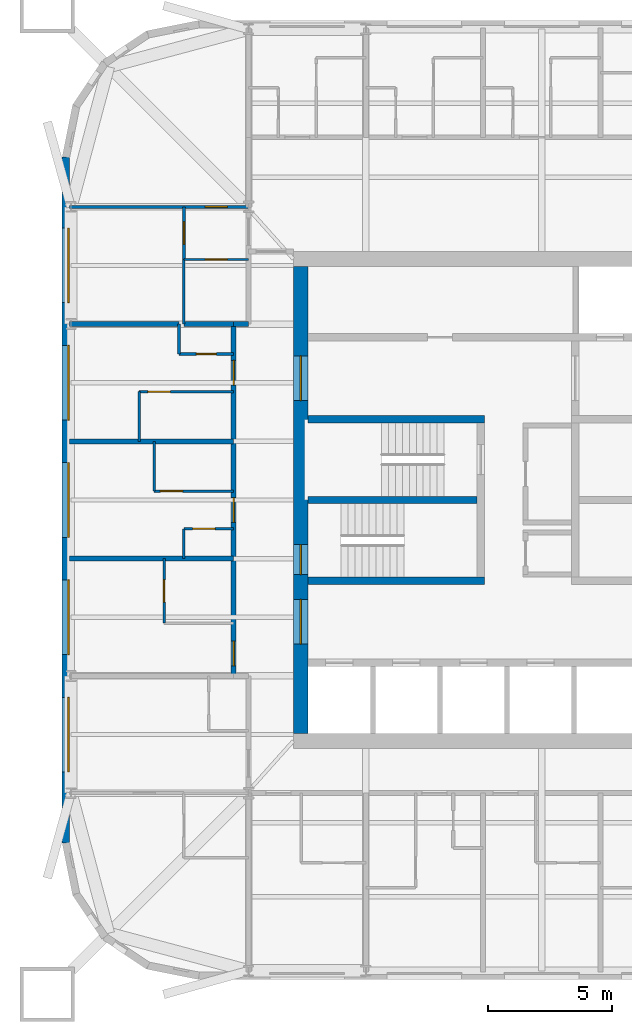
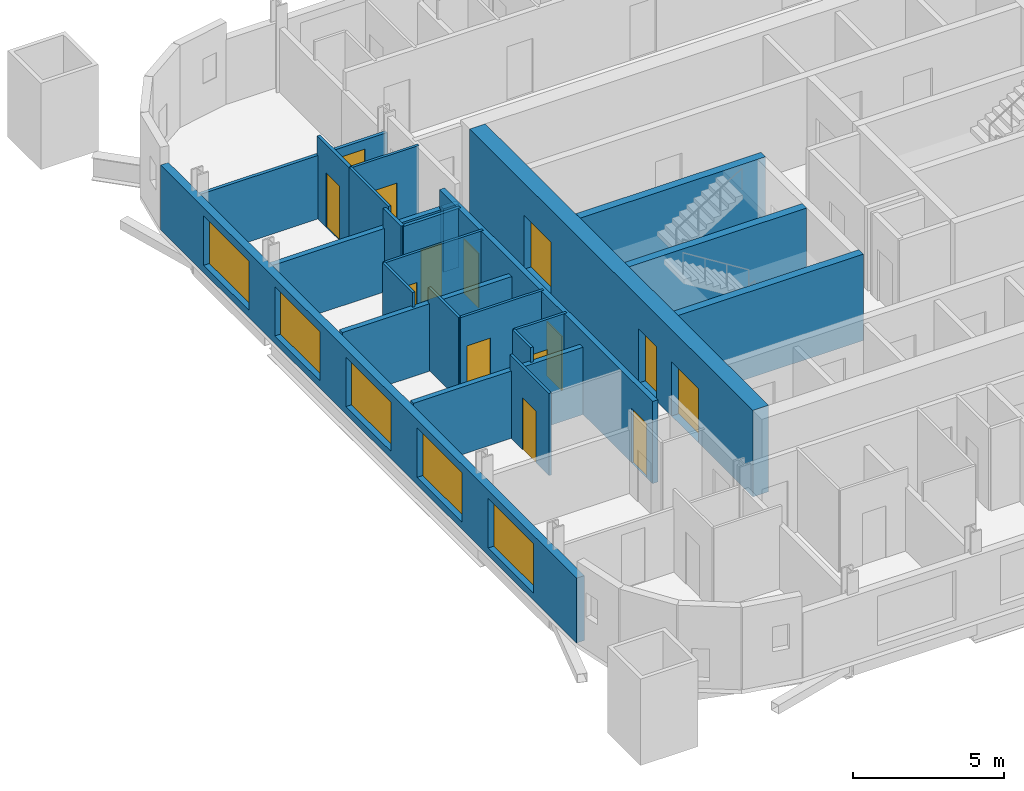
# One storey, part 4 of 9: 24 walls, 14 doors, 5 windows, 19 openings.
"""IFC4 building model written with IfcOpenShell, lengths in metres."""

from ifc_helpers import new_model, si_unit, direction, frame, frame_2d, origin, place, context, subcontext, project, spatial, rectangle, extrude, material, layer, layer_set, type_object, element, fill, save


model = new_model("IFC4")

# Units and contexts
model_context = context("Model", 3, precision=1e-05, world=origin(), true_north=direction((0.0, 1.0)))
body_context = subcontext(model_context, "Body", "Model", "MODEL_VIEW")
ifc_project = project(units=[si_unit("LENGTHUNIT", "METRE"), si_unit("AREAUNIT", "SQUARE_METRE"), si_unit("VOLUMEUNIT", "CUBIC_METRE"), si_unit("PLANEANGLEUNIT", "RADIAN"), si_unit("MASSUNIT", "GRAM", prefix="KILO")], contexts=[model_context])

# Site, building, storey
site_placement = place(None, origin())
site = spatial("IfcSite", under=ifc_project, at=site_placement, CompositionType="ELEMENT")
building_placement = place(site_placement, origin())
building = spatial("IfcBuilding", under=site, at=building_placement, Name="Turquesa Mirador Hotel Tower", CompositionType="ELEMENT")
storey_placement = place(building_placement, frame((0.0, 0.0, 214.300048828125)))
storey = spatial("IfcBuildingStorey", under=building, at=storey_placement, Name="L58", CompositionType="ELEMENT", Elevation=214.300048828125)

# Wall, opening, door
ifc_material_1 = material(Name="Gypsum board on steel studs", Category="steel")
ifc_layer_1 = layer(ifc_material_1, 0.10009765625)
ifc_layer_set_1 = layer_set([ifc_layer_1], Name="BATHROOM WALL 100")
wall_type_1 = type_object("IfcWallType", Name="BATHROOM WALL 100", PredefinedType="PARTITIONING", material=ifc_layer_set_1)
wall_1_placement = place(storey_placement, frame((40.60009765625, 43.840087890625, 0.0), z_axis=(0.0, 0.0, 1.0), x_axis=(1.0, 0.0, 0.0)))
wall_1 = element("IfcWall", 1, at=wall_1_placement, inside=storey, type_object=wall_type_1, Name="Partition L58 001", PredefinedType="PARTITIONING", context=body_context, shape_type="SweptSolid", body=[
    extrude(rectangle(XDim=2.0, YDim=0.10009765625, at=frame_2d((1.0, 0.0))), origin(), (0.0, 0.0, 1.0), 3.329833984375),
])
opening_1_placement = place(wall_1_placement, frame((0.35009765625, 0.0, 0.0)))
opening_1 = element("IfcOpeningElement", 2, at=opening_1_placement, cuts=wall_1, Name="Opening D06", PredefinedType="OPENING", context=body_context, shape_type="SweptSolid", body=[
    extrude(rectangle(XDim=0.89990234375, YDim=2.10009765625, at=frame_2d((0.449951171875, 1.050048828125))), frame((0.0, 0.06005859375, 0.0), z_axis=(0.0, -1.0, 0.0), x_axis=(1.0, 0.0, 0.0)), (0.0, 0.0, 1.0), 0.1201171875),
])
ifc_material_2 = material(Name="Laminate door", Category="wood")
door_type_1 = type_object("IfcDoorType", Name="DOOR 900X2100 WC", OperationType="SINGLE_SWING_LEFT", PredefinedType="DOOR", material=ifc_material_2)
door_1_placement = place(opening_1_placement, origin())
door_1 = element("IfcDoor", 3, at=door_1_placement, inside=storey, type_object=door_type_1, Name="Door 5815W", OperationType="SINGLE_SWING_LEFT", OverallHeight=2.10009765625, OverallWidth=0.89990234375, PredefinedType="DOOR", context=body_context, shape_type="SweptSolid", body=[
    extrude(rectangle(XDim=0.89990234375, YDim=2.10009765625, at=frame_2d((0.449951171875, 1.050048828125))), frame((0.0, 0.02490234375, 0.0), z_axis=(0.0, -1.0, 0.0), x_axis=(1.0, 0.0, 0.0)), (0.0, 0.0, 1.0), 0.050048828125),
])
fill(opening_1, door_1)

wall_2_placement = place(storey_placement, frame((39.39990234375, 45.360107421875, 0.0), z_axis=(0.0, 0.0, 1.0), x_axis=(1.0, 0.0, 0.0)))
wall_2 = element("IfcWall", 4, at=wall_2_placement, inside=storey, type_object=wall_type_1, Name="Partition L58 026", PredefinedType="PARTITIONING", context=body_context, shape_type="SweptSolid", body=[
    extrude(rectangle(XDim=3.2001953125, YDim=0.10009765625, at=frame_2d((1.60009765625, 0.0))), origin(), (0.0, 0.0, 1.0), 3.329833984375),
])
opening_2_placement = place(wall_2_placement, frame((0.25, 0.0, 0.0)))
opening_2 = element("IfcOpeningElement", 5, at=opening_2_placement, cuts=wall_2, Name="Opening D02", PredefinedType="OPENING", context=body_context, shape_type="SweptSolid", body=[
    extrude(rectangle(XDim=0.89990234375, YDim=2.10009765625, at=frame_2d((0.449951171875, 1.050048828125))), frame((0.0, 0.06005859375, 0.0), z_axis=(0.0, -1.0, 0.0), x_axis=(1.0, 0.0, 0.0)), (0.0, 0.0, 1.0), 0.1201171875),
])
ifc_material_3 = material(Name="Timber veneered door", Category="wood")
door_type_2 = type_object("IfcDoorType", Name="DOOR 900X2100 EN-SUITE", OperationType="SINGLE_SWING_RIGHT", PredefinedType="DOOR", material=ifc_material_3)
door_2_placement = place(opening_2_placement, origin())
door_2 = element("IfcDoor", 6, at=door_2_placement, inside=storey, type_object=door_type_2, Name="Door 5815B", OperationType="SINGLE_SWING_RIGHT", OverallHeight=2.10009765625, OverallWidth=0.89990234375, PredefinedType="DOOR", context=body_context, shape_type="SweptSolid", body=[
    extrude(rectangle(XDim=0.89990234375, YDim=2.10009765625, at=frame_2d((0.449951171875, 1.050048828125))), frame((0.0, 0.02490234375, 0.0), z_axis=(0.0, -1.0, 0.0), x_axis=(1.0, 0.0, 0.0)), (0.0, 0.0, 1.0), 0.050048828125),
])
fill(opening_2, door_2)

wall_3_placement = place(storey_placement, frame((38.800048828125, 49.360107421875, 0.0), z_axis=(0.0, 0.0, 1.0), x_axis=(1.0, 0.0, 0.0)))
wall_3 = element("IfcWall", 7, at=wall_3_placement, inside=storey, type_object=wall_type_1, Name="Partition L58 044", PredefinedType="PARTITIONING", context=body_context, shape_type="SweptSolid", body=[
    extrude(rectangle(XDim=3.800048828125, YDim=0.10009765625, at=frame_2d((1.89990234375, 0.0))), origin(), (0.0, 0.0, 1.0), 3.329833984375),
])
opening_3_placement = place(wall_3_placement, frame((0.35009765625, 0.0, 0.0)))
opening_3 = element("IfcOpeningElement", 8, at=opening_3_placement, cuts=wall_3, Name="Opening D02", PredefinedType="OPENING", context=body_context, shape_type="SweptSolid", body=[
    extrude(rectangle(XDim=0.89990234375, YDim=2.10009765625, at=frame_2d((0.449951171875, 1.050048828125))), frame((0.0, 0.06005859375, 0.0), z_axis=(0.0, -1.0, 0.0), x_axis=(1.0, 0.0, 0.0)), (0.0, 0.0, 1.0), 0.1201171875),
])
door_3_placement = place(opening_3_placement, origin())
door_3 = element("IfcDoor", 9, at=door_3_placement, inside=storey, type_object=door_type_2, Name="Door 5816B", OperationType="SINGLE_SWING_RIGHT", OverallHeight=2.10009765625, OverallWidth=0.89990234375, PredefinedType="DOOR", context=body_context, shape_type="SweptSolid", body=[
    extrude(rectangle(XDim=0.89990234375, YDim=2.10009765625, at=frame_2d((0.449951171875, 1.050048828125))), frame((0.0, 0.02490234375, 0.0), z_axis=(0.0, -1.0, 0.0), x_axis=(1.0, 0.0, 0.0)), (0.0, 0.0, 1.0), 0.050048828125),
])
fill(opening_3, door_3)

wall_4_placement = place(storey_placement, frame((40.60009765625, 54.679931640625, 0.0), z_axis=(0.0, 0.0, 1.0), x_axis=(1.0, 0.0, 0.0)))
wall_4 = element("IfcWall", 10, at=wall_4_placement, inside=storey, type_object=wall_type_1, Name="Partition L58 051", PredefinedType="PARTITIONING", context=body_context, shape_type="SweptSolid", body=[
    extrude(rectangle(XDim=2.599853515625, YDim=0.10009765625, at=frame_2d((1.2998046875, 0.0))), origin(), (0.0, 0.0, 1.0), 3.329833984375),
])
opening_4_placement = place(wall_4_placement, frame((0.85009765625, 0.0, 0.0)))
opening_4 = element("IfcOpeningElement", 11, at=opening_4_placement, cuts=wall_4, Name="Opening D02", PredefinedType="OPENING", context=body_context, shape_type="SweptSolid", body=[
    extrude(rectangle(XDim=0.89990234375, YDim=2.10009765625, at=frame_2d((0.449951171875, 1.050048828125))), frame((0.0, 0.06005859375, 0.0), z_axis=(0.0, -1.0, 0.0), x_axis=(1.0, 0.0, 0.0)), (0.0, 0.0, 1.0), 0.1201171875),
])
door_4_placement = place(opening_4_placement, origin())
door_4 = element("IfcDoor", 12, at=door_4_placement, inside=storey, type_object=door_type_2, Name="Door 5818B", OperationType="SINGLE_SWING_RIGHT", OverallHeight=2.10009765625, OverallWidth=0.89990234375, PredefinedType="DOOR", context=body_context, shape_type="SweptSolid", body=[
    extrude(rectangle(XDim=0.89990234375, YDim=2.10009765625, at=frame_2d((0.449951171875, 1.050048828125))), frame((0.0, 0.02490234375, 0.0), z_axis=(0.0, -1.0, 0.0), x_axis=(1.0, 0.0, 0.0)), (0.0, 0.0, 1.0), 0.050048828125),
])
fill(opening_4, door_4)

# Walls
wall_5_placement = place(storey_placement, frame((40.60009765625, 42.639892578125, 0.0), z_axis=(0.0, 0.0, 1.0), x_axis=(0.0, 1.0, 0.0)))
element("IfcWall", 13, at=wall_5_placement, inside=storey, type_object=wall_type_1, Name="Partition L58 063", PredefinedType="PARTITIONING", context=body_context, shape_type="SweptSolid", body=[
    extrude(rectangle(XDim=1.2001953125, YDim=0.10009765625, at=frame_2d((0.60009765625, 0.0))), origin(), (0.0, 0.0, 1.0), 3.329833984375),
])
wall_6_placement = place(storey_placement, frame((40.60009765625, 52.080078125, 0.0), z_axis=(0.0, 0.0, 1.0), x_axis=(0.0, 1.0, 0.0)))
element("IfcWall", 14, at=wall_6_placement, inside=storey, type_object=wall_type_1, Name="Partition L58 064", PredefinedType="PARTITIONING", context=body_context, shape_type="SweptSolid", body=[
    extrude(rectangle(XDim=2.599853515625, YDim=0.10009765625, at=frame_2d((1.2998046875, 0.0))), origin(), (0.0, 0.0, 1.0), 3.329833984375),
])

# Wall, opening, door
wall_7_placement = place(storey_placement, frame((39.800048828125, 40.0400390625, 0.0), z_axis=(0.0, 0.0, 1.0), x_axis=(0.0, 1.0, 0.0)))
wall_7 = element("IfcWall", 15, at=wall_7_placement, inside=storey, type_object=wall_type_1, Name="Partition L58 067", PredefinedType="PARTITIONING", context=body_context, shape_type="SweptSolid", body=[
    extrude(rectangle(XDim=2.599853515625, YDim=0.10009765625, at=frame_2d((1.2998046875, 0.0))), origin(), (0.0, 0.0, 1.0), 3.329833984375),
])
opening_5_placement = place(wall_7_placement, frame((0.85009765625, 0.0, 0.0)))
opening_5 = element("IfcOpeningElement", 16, at=opening_5_placement, cuts=wall_7, Name="Opening D02", PredefinedType="OPENING", context=body_context, shape_type="SweptSolid", body=[
    extrude(rectangle(XDim=0.89990234375, YDim=2.10009765625, at=frame_2d((0.449951171875, 1.050048828125))), frame((0.0, 0.06005859375, 0.0), z_axis=(0.0, -1.0, 0.0), x_axis=(1.0, 0.0, 0.0)), (0.0, 0.0, 1.0), 0.1201171875),
])
door_5_placement = place(opening_5_placement, origin())
door_5 = element("IfcDoor", 17, at=door_5_placement, inside=storey, type_object=door_type_2, Name="Door 5814B", OperationType="SINGLE_SWING_RIGHT", OverallHeight=2.10009765625, OverallWidth=0.89990234375, PredefinedType="DOOR", context=body_context, shape_type="SweptSolid", body=[
    extrude(rectangle(XDim=0.89990234375, YDim=2.10009765625, at=frame_2d((0.449951171875, 1.050048828125))), frame((0.0, 0.02490234375, 0.0), z_axis=(0.0, -1.0, 0.0), x_axis=(1.0, 0.0, 0.0)), (0.0, 0.0, 1.0), 0.050048828125),
])
fill(opening_5, door_5)

# Walls
for number, where, z_axis, x_axis, name in (
    (18, (39.39990234375, 45.360107421875, 0.0), (0.0, 0.0, 1.0), (0.0, 1.0, 0.0), "Partition L58 068"),
    (19, (38.800048828125, 47.360107421875, 0.0), (0.0, 0.0, 1.0), (0.0, 1.0, 0.0), "Partition L58 069"),
):
    element("IfcWall", number, at=place(storey_placement, frame(where, z_axis=z_axis, x_axis=x_axis)), inside=storey, type_object=wall_type_1, Name=name, PredefinedType="PARTITIONING", context=body_context, shape_type="SweptSolid", body=[
        extrude(rectangle(XDim=2.0, YDim=0.10009765625, at=frame_2d((1.0, 0.0))), origin(), (0.0, 0.0, 1.0), 3.329833984375),
    ])
ifc_material_4 = material(Name="Concrete C50/60", Category="concrete")
ifc_layer_2 = layer(ifc_material_4, 0.300048828125)
ifc_layer_set_2 = layer_set([ifc_layer_2], Name="CORE INNER WALL 300")
wall_type_2 = type_object("IfcWallType", Name="CORE INNER WALL 300", PredefinedType="SHEAR", material=ifc_layer_set_2)
for number, where, z_axis, x_axis, name in (
    (20, (45.60009765625, 48.25, 0.0), (0.0, 0.0, 1.0), (1.0, 0.0, 0.0), "Core wall MN-W"),
    (21, (45.60009765625, 41.75, 0.0), (0.0, 0.0, 1.0), (1.0, 0.0, 0.0), "Core wall MS-W"),
):
    element("IfcWall", number, at=place(storey_placement, frame(where, z_axis=z_axis, x_axis=x_axis)), inside=storey, type_object=wall_type_2, Name=name, PredefinedType="SHEAR", context=body_context, shape_type="SweptSolid", body=[
        extrude(rectangle(XDim=7.099853515625, YDim=0.300048828125, at=frame_2d((3.5498046875, 0.0))), origin(), (0.0, 0.0, 1.0), 3.5),
    ])
wall_8_placement = place(storey_placement, frame((45.60009765625, 45.0, 0.0), z_axis=(0.0, 0.0, 1.0), x_axis=(1.0, 0.0, 0.0)))
element("IfcWall", 22, at=wall_8_placement, inside=storey, type_object=wall_type_2, Name="Core wall M0-W", PredefinedType="SHEAR", context=body_context, shape_type="SweptSolid", body=[
    extrude(rectangle(XDim=6.7998046875, YDim=0.300048828125, at=frame_2d((3.39990234375, 0.0))), origin(), (0.0, 0.0, 1.0), 3.5),
])

# Wall, openings, doors
ifc_material_5 = material(Name="Concrete C50/60", Category="concrete")
ifc_layer_3 = layer(ifc_material_5, 0.60009765625)
ifc_layer_set_3 = layer_set([ifc_layer_3], Name="CORE WALL 600")
wall_type_3 = type_object("IfcWallType", Name="CORE WALL 600", PredefinedType="SHEAR", material=ifc_layer_set_3)
wall_9_placement = place(storey_placement, frame((45.300048828125, 35.60009765625, 0.0), z_axis=(0.0, 0.0, 1.0), x_axis=(0.0, 1.0, 0.0)))
wall_9 = element("IfcWall", 23, at=wall_9_placement, inside=storey, type_object=wall_type_3, Name="Core wall W", PredefinedType="SHEAR", context=body_context, shape_type="SweptSolid", body=[
    extrude(rectangle(XDim=18.7998046875, YDim=0.60009765625, at=frame_2d((9.39990234375, 0.0))), origin(), (0.0, 0.0, 1.0), 3.5),
])
opening_6_placement = place(wall_9_placement, frame((13.39990234375, 0.0, 0.0)))
opening_6 = element("IfcOpeningElement", 24, at=opening_6_placement, cuts=wall_9, Name="Opening D04", PredefinedType="OPENING", context=body_context, shape_type="SweptSolid", body=[
    extrude(rectangle(XDim=1.800048828125, YDim=2.199951171875, at=frame_2d((0.89990234375, 1.10009765625))), frame((0.0, 0.31005859375, 0.0), z_axis=(0.0, -1.0, 0.0), x_axis=(1.0, 0.0, 0.0)), (0.0, 0.0, 1.0), 0.6201171875),
])
opening_7_placement = place(wall_9_placement, frame((3.60009765625, 0.0, 0.0)))
opening_7 = element("IfcOpeningElement", 25, at=opening_7_placement, cuts=wall_9, Name="Opening D04", PredefinedType="OPENING", context=body_context, shape_type="SweptSolid", body=[
    extrude(rectangle(XDim=1.800048828125, YDim=2.199951171875, at=frame_2d((0.89990234375, 1.10009765625))), frame((0.0, 0.31005859375, 0.0), z_axis=(0.0, -1.0, 0.0), x_axis=(1.0, 0.0, 0.0)), (0.0, 0.0, 1.0), 0.6201171875),
])
opening_8_placement = place(wall_9_placement, frame((6.39990234375, 0.0, 0.0)))
opening_8 = element("IfcOpeningElement", 26, at=opening_8_placement, cuts=wall_9, Name="Opening D03", PredefinedType="OPENING", context=body_context, shape_type="SweptSolid", body=[
    extrude(rectangle(XDim=1.199951171875, YDim=2.199951171875, at=frame_2d((0.60009765625, 1.10009765625))), frame((0.0, 0.31005859375, 0.0), z_axis=(0.0, -1.0, 0.0), x_axis=(1.0, 0.0, 0.0)), (0.0, 0.0, 1.0), 0.6201171875),
])
ifc_material_6 = material(Name="Steel fire door", Category="steel")
door_type_3 = type_object("IfcDoorType", Name="DOOR 1200X2200 STAIR", OperationType="SINGLE_SWING_LEFT", PredefinedType="DOOR", material=ifc_material_6)
door_6_placement = place(opening_8_placement, origin())
door_6 = element("IfcDoor", 27, at=door_6_placement, inside=storey, type_object=door_type_3, Name="Stair ST2 door", OperationType="SINGLE_SWING_LEFT", OverallHeight=2.199951171875, OverallWidth=1.199951171875, PredefinedType="DOOR", context=body_context, shape_type="SweptSolid", body=[
    extrude(rectangle(XDim=1.199951171875, YDim=2.199951171875, at=frame_2d((0.60009765625, 1.10009765625))), frame((0.0, 0.02490234375, 0.0), z_axis=(0.0, -1.0, 0.0), x_axis=(1.0, 0.0, 0.0)), (0.0, 0.0, 1.0), 0.050048828125),
])
fill(opening_8, door_6)
ifc_material_7 = material(Name="Steel fire door pair", Category="steel")
door_type_4 = type_object("IfcDoorType", Name="DOOR 1800X2200 PAIR", OperationType="DOUBLE_DOOR_SINGLE_SWING", PredefinedType="DOOR", material=ifc_material_7)
door_7_placement = place(opening_6_placement, origin())
door_7 = element("IfcDoor", 28, at=door_7_placement, inside=storey, type_object=door_type_4, Name="North lift lobby door", OperationType="DOUBLE_DOOR_SINGLE_SWING", OverallHeight=2.199951171875, OverallWidth=1.800048828125, PredefinedType="DOOR", context=body_context, shape_type="SweptSolid", body=[
    extrude(rectangle(XDim=1.800048828125, YDim=2.199951171875, at=frame_2d((0.89990234375, 1.10009765625))), frame((0.0, 0.02490234375, 0.0), z_axis=(0.0, -1.0, 0.0), x_axis=(1.0, 0.0, 0.0)), (0.0, 0.0, 1.0), 0.050048828125),
])
fill(opening_6, door_7)
door_8_placement = place(opening_7_placement, origin())
door_8 = element("IfcDoor", 29, at=door_8_placement, inside=storey, type_object=door_type_4, Name="South lift lobby door", OperationType="DOUBLE_DOOR_SINGLE_SWING", OverallHeight=2.199951171875, OverallWidth=1.800048828125, PredefinedType="DOOR", context=body_context, shape_type="SweptSolid", body=[
    extrude(rectangle(XDim=1.800048828125, YDim=2.199951171875, at=frame_2d((0.89990234375, 1.10009765625))), frame((0.0, 0.02490234375, 0.0), z_axis=(0.0, -1.0, 0.0), x_axis=(1.0, 0.0, 0.0)), (0.0, 0.0, 1.0), 0.050048828125),
])
fill(opening_7, door_8)

# Wall
ifc_material_8 = material(Name="Fire-rated gypsum board on steel studs", Category="steel")
ifc_layer_4 = layer(ifc_material_8, 0.199951171875)
ifc_layer_set_4 = layer_set([ifc_layer_4], Name="CORRIDOR WALL 200")
wall_type_4 = type_object("IfcWallType", Name="CORRIDOR WALL 200", PredefinedType="PARTITIONING", material=ifc_layer_set_4)
wall_10_placement = place(storey_placement, frame((42.60009765625, 52.080078125, 0.0), z_axis=(0.0, 0.0, 1.0), x_axis=(1.0, 0.0, 0.0)))
element("IfcWall", 30, at=wall_10_placement, inside=storey, type_object=wall_type_4, Name="Partition L58 047", PredefinedType="PARTITIONING", context=body_context, shape_type="SweptSolid", body=[
    extrude(rectangle(XDim=0.599853515625, YDim=0.199951171875, at=frame_2d((0.2998046875, 0.0))), origin(), (0.0, 0.0, 1.0), 2.572998046875),
])

# Wall, openings, doors
wall_11_placement = place(storey_placement, frame((42.60009765625, 37.919921875, 0.0), z_axis=(0.0, 0.0, 1.0), x_axis=(0.0, 1.0, 0.0)))
wall_11 = element("IfcWall", 31, at=wall_11_placement, inside=storey, type_object=wall_type_4, Name="Partition L58 060", PredefinedType="PARTITIONING", context=body_context, shape_type="SweptSolid", body=[
    extrude(rectangle(XDim=14.16015625, YDim=0.199951171875, at=frame_2d((7.080078125, 0.0))), origin(), (0.0, 0.0, 1.0), 3.329833984375),
])
opening_9_placement = place(wall_11_placement, frame((0.39990234375, 0.0, 0.0)))
opening_9 = element("IfcOpeningElement", 32, at=opening_9_placement, cuts=wall_11, Name="Opening D01", PredefinedType="OPENING", context=body_context, shape_type="SweptSolid", body=[
    extrude(rectangle(XDim=1.0, YDim=2.199951171875, at=frame_2d((0.5, 1.10009765625))), frame((0.0, 0.10986328125, 0.0), z_axis=(0.0, -1.0, 0.0), x_axis=(1.0, 0.0, 0.0)), (0.0, 0.0, 1.0), 0.219970703125),
])
opening_10_placement = place(wall_11_placement, frame((6.179931640625, 0.0, 0.0)))
opening_10 = element("IfcOpeningElement", 33, at=opening_10_placement, cuts=wall_11, Name="Opening D01", PredefinedType="OPENING", context=body_context, shape_type="SweptSolid", body=[
    extrude(rectangle(XDim=1.0, YDim=2.199951171875, at=frame_2d((0.5, 1.10009765625))), frame((0.0, 0.10986328125, 0.0), z_axis=(0.0, -1.0, 0.0), x_axis=(1.0, 0.0, 0.0)), (0.0, 0.0, 1.0), 0.219970703125),
])
opening_11_placement = place(wall_11_placement, frame((11.699951171875, 0.0, 0.0)))
opening_11 = element("IfcOpeningElement", 34, at=opening_11_placement, cuts=wall_11, Name="Opening D01", PredefinedType="OPENING", context=body_context, shape_type="SweptSolid", body=[
    extrude(rectangle(XDim=1.0, YDim=2.199951171875, at=frame_2d((0.5, 1.10009765625))), frame((0.0, 0.10986328125, 0.0), z_axis=(0.0, -1.0, 0.0), x_axis=(1.0, 0.0, 0.0)), (0.0, 0.0, 1.0), 0.219970703125),
])
ifc_material_9 = material(Name="Timber veneered fire door", Category="wood")
door_type_5 = type_object("IfcDoorType", Name="DOOR 1000X2200 GUEST ENTRY", OperationType="SINGLE_SWING_LEFT", PredefinedType="DOOR", material=ifc_material_9)
door_9_placement = place(opening_9_placement, origin())
door_9 = element("IfcDoor", 35, at=door_9_placement, inside=storey, type_object=door_type_5, Name="Door 5814", OperationType="SINGLE_SWING_LEFT", OverallHeight=2.199951171875, OverallWidth=1.0, PredefinedType="DOOR", context=body_context, shape_type="SweptSolid", body=[
    extrude(rectangle(XDim=1.0, YDim=2.199951171875, at=frame_2d((0.5, 1.10009765625))), frame((0.0, 0.02490234375, 0.0), z_axis=(0.0, -1.0, 0.0), x_axis=(1.0, 0.0, 0.0)), (0.0, 0.0, 1.0), 0.050048828125),
])
fill(opening_9, door_9)
door_10_placement = place(opening_10_placement, origin())
door_10 = element("IfcDoor", 36, at=door_10_placement, inside=storey, type_object=door_type_5, Name="Door 5815", OperationType="SINGLE_SWING_LEFT", OverallHeight=2.199951171875, OverallWidth=1.0, PredefinedType="DOOR", context=body_context, shape_type="SweptSolid", body=[
    extrude(rectangle(XDim=1.0, YDim=2.199951171875, at=frame_2d((0.5, 1.10009765625))), frame((0.0, 0.02490234375, 0.0), z_axis=(0.0, -1.0, 0.0), x_axis=(1.0, 0.0, 0.0)), (0.0, 0.0, 1.0), 0.050048828125),
])
fill(opening_10, door_10)
door_11_placement = place(opening_11_placement, origin())
door_11 = element("IfcDoor", 37, at=door_11_placement, inside=storey, type_object=door_type_5, Name="Door 5816", OperationType="SINGLE_SWING_LEFT", OverallHeight=2.199951171875, OverallWidth=1.0, PredefinedType="DOOR", context=body_context, shape_type="SweptSolid", body=[
    extrude(rectangle(XDim=1.0, YDim=2.199951171875, at=frame_2d((0.5, 1.10009765625))), frame((0.0, 0.02490234375, 0.0), z_axis=(0.0, -1.0, 0.0), x_axis=(1.0, 0.0, 0.0)), (0.0, 0.0, 1.0), 0.050048828125),
])
fill(opening_11, door_11)

# Wall, openings, windows
ifc_material_10 = material(Name="Limestone cladding on concrete block", Category="masonry")
ifc_layer_5 = layer(ifc_material_10, 0.300048828125)
ifc_layer_set_5 = layer_set([ifc_layer_5], Name="FACADE WALL 300 STONE SCREEN")
wall_type_5 = type_object("IfcWallType", Name="FACADE WALL 300 STONE SCREEN", PredefinedType="SOLIDWALL", material=ifc_layer_set_5)
wall_12_placement = place(storey_placement, frame((35.85009765625, 58.800048828125, 0.0), z_axis=(0.0, 0.0, 1.0), x_axis=(0.0, -1.0, 0.0)))
wall_12 = element("IfcWall", 38, at=wall_12_placement, inside=storey, type_object=wall_type_5, Name="Facade wall L58 14", PredefinedType="SOLIDWALL", context=body_context, shape_type="SweptSolid", body=[
    extrude(rectangle(XDim=27.60009765625, YDim=0.300048828125, at=frame_2d((13.800048828125, 0.0))), origin(), (0.0, 0.0, 1.0), 2.6298828125),
])
opening_12_placement = place(wall_12_placement, frame((2.860107421875, 0.0, 0.300048828125)))
opening_12 = element("IfcOpeningElement", 39, at=opening_12_placement, cuts=wall_12, Name="Opening WN1", PredefinedType="OPENING", context=body_context, shape_type="SweptSolid", body=[
    extrude(rectangle(XDim=3.0, YDim=2.0, at=frame_2d((1.5, 1.0))), frame((0.0, 0.159912109375, 0.0), z_axis=(0.0, -1.0, 0.0), x_axis=(1.0, 0.0, 0.0)), (0.0, 0.0, 1.0), 0.320068359375),
])
opening_13_placement = place(wall_12_placement, frame((7.580078125, 0.0, 0.300048828125)))
opening_13 = element("IfcOpeningElement", 40, at=opening_13_placement, cuts=wall_12, Name="Opening WN1", PredefinedType="OPENING", context=body_context, shape_type="SweptSolid", body=[
    extrude(rectangle(XDim=3.0, YDim=2.0, at=frame_2d((1.5, 1.0))), frame((0.0, 0.159912109375, 0.0), z_axis=(0.0, -1.0, 0.0), x_axis=(1.0, 0.0, 0.0)), (0.0, 0.0, 1.0), 0.320068359375),
])
opening_14_placement = place(wall_12_placement, frame((12.300048828125, 0.0, 0.300048828125)))
opening_14 = element("IfcOpeningElement", 41, at=opening_14_placement, cuts=wall_12, Name="Opening WN1", PredefinedType="OPENING", context=body_context, shape_type="SweptSolid", body=[
    extrude(rectangle(XDim=3.0, YDim=2.0, at=frame_2d((1.5, 1.0))), frame((0.0, 0.159912109375, 0.0), z_axis=(0.0, -1.0, 0.0), x_axis=(1.0, 0.0, 0.0)), (0.0, 0.0, 1.0), 0.320068359375),
])
opening_15_placement = place(wall_12_placement, frame((17.02001953125, 0.0, 0.300048828125)))
opening_15 = element("IfcOpeningElement", 42, at=opening_15_placement, cuts=wall_12, Name="Opening WN1", PredefinedType="OPENING", context=body_context, shape_type="SweptSolid", body=[
    extrude(rectangle(XDim=3.0, YDim=2.0, at=frame_2d((1.5, 1.0))), frame((0.0, 0.159912109375, 0.0), z_axis=(0.0, -1.0, 0.0), x_axis=(1.0, 0.0, 0.0)), (0.0, 0.0, 1.0), 0.320068359375),
])
opening_16_placement = place(wall_12_placement, frame((21.739990234375, 0.0, 0.300048828125)))
opening_16 = element("IfcOpeningElement", 43, at=opening_16_placement, cuts=wall_12, Name="Opening WN1", PredefinedType="OPENING", context=body_context, shape_type="SweptSolid", body=[
    extrude(rectangle(XDim=3.0, YDim=2.0, at=frame_2d((1.5, 1.0))), frame((0.0, 0.159912109375, 0.0), z_axis=(0.0, -1.0, 0.0), x_axis=(1.0, 0.0, 0.0)), (0.0, 0.0, 1.0), 0.320068359375),
])
ifc_material_11 = material(Name="Ceramic-fritted laminated glass", Category="glass")
window_type = type_object("IfcWindowType", Name="FRITTED WINDOW 3000X2000", PartitioningType="DOUBLE_PANEL_HORIZONTAL", PredefinedType="WINDOW", material=ifc_material_11)
window_1_placement = place(opening_12_placement, origin())
window_1 = element("IfcWindow", 44, at=window_1_placement, inside=storey, type_object=window_type, Name="Window L58", OverallHeight=2.0, OverallWidth=3.0, PartitioningType="SINGLE_PANEL", PredefinedType="WINDOW", context=body_context, shape_type="SweptSolid", body=[
    extrude(rectangle(XDim=3.0, YDim=2.0, at=frame_2d((1.5, 1.0))), frame((0.0, 0.130126953125, 0.0), z_axis=(0.0, -1.0, 0.0), x_axis=(1.0, 0.0, 0.0)), (0.0, 0.0, 1.0), 0.06005859375),
])
fill(opening_12, window_1)
window_2_placement = place(opening_13_placement, origin())
window_2 = element("IfcWindow", 45, at=window_2_placement, inside=storey, type_object=window_type, Name="Window L58", OverallHeight=2.0, OverallWidth=3.0, PartitioningType="SINGLE_PANEL", PredefinedType="WINDOW", context=body_context, shape_type="SweptSolid", body=[
    extrude(rectangle(XDim=3.0, YDim=2.0, at=frame_2d((1.5, 1.0))), frame((0.0, 0.130126953125, 0.0), z_axis=(0.0, -1.0, 0.0), x_axis=(1.0, 0.0, 0.0)), (0.0, 0.0, 1.0), 0.06005859375),
])
fill(opening_13, window_2)
window_3_placement = place(opening_14_placement, origin())
window_3 = element("IfcWindow", 46, at=window_3_placement, inside=storey, type_object=window_type, Name="Window L58", OverallHeight=2.0, OverallWidth=3.0, PartitioningType="SINGLE_PANEL", PredefinedType="WINDOW", context=body_context, shape_type="SweptSolid", body=[
    extrude(rectangle(XDim=3.0, YDim=2.0, at=frame_2d((1.5, 1.0))), frame((0.0, 0.130126953125, 0.0), z_axis=(0.0, -1.0, 0.0), x_axis=(1.0, 0.0, 0.0)), (0.0, 0.0, 1.0), 0.06005859375),
])
fill(opening_14, window_3)
window_4_placement = place(opening_15_placement, origin())
window_4 = element("IfcWindow", 47, at=window_4_placement, inside=storey, type_object=window_type, Name="Window L58", OverallHeight=2.0, OverallWidth=3.0, PartitioningType="SINGLE_PANEL", PredefinedType="WINDOW", context=body_context, shape_type="SweptSolid", body=[
    extrude(rectangle(XDim=3.0, YDim=2.0, at=frame_2d((1.5, 1.0))), frame((0.0, 0.130126953125, 0.0), z_axis=(0.0, -1.0, 0.0), x_axis=(1.0, 0.0, 0.0)), (0.0, 0.0, 1.0), 0.06005859375),
])
fill(opening_15, window_4)
window_5_placement = place(opening_16_placement, origin())
window_5 = element("IfcWindow", 48, at=window_5_placement, inside=storey, type_object=window_type, Name="Window L58", OverallHeight=2.0, OverallWidth=3.0, PartitioningType="SINGLE_PANEL", PredefinedType="WINDOW", context=body_context, shape_type="SweptSolid", body=[
    extrude(rectangle(XDim=3.0, YDim=2.0, at=frame_2d((1.5, 1.0))), frame((0.0, 0.130126953125, 0.0), z_axis=(0.0, -1.0, 0.0), x_axis=(1.0, 0.0, 0.0)), (0.0, 0.0, 1.0), 0.06005859375),
])
fill(opening_16, window_5)

# Walls
ifc_material_12 = material(Name="Fire-rated gypsum board on steel studs", Category="steel")
ifc_layer_6 = layer(ifc_material_12, 0.199951171875)
ifc_layer_set_6 = layer_set([ifc_layer_6], Name="PARTY WALL 200")
wall_type_6 = type_object("IfcWallType", Name="PARTY WALL 200", PredefinedType="PARTITIONING", material=ifc_layer_set_6)
for number, where, z_axis, x_axis, name in (
    (49, (36.0, 42.639892578125, 0.0), (0.0, 0.0, 1.0), (1.0, 0.0, 0.0), "Partition L58 017"),
    (50, (36.0, 47.360107421875, 0.0), (0.0, 0.0, 1.0), (1.0, 0.0, 0.0), "Partition L58 041"),
):
    element("IfcWall", number, at=place(storey_placement, frame(where, z_axis=z_axis, x_axis=x_axis)), inside=storey, type_object=wall_type_6, Name=name, PredefinedType="PARTITIONING", context=body_context, shape_type="SweptSolid", body=[
        extrude(rectangle(XDim=6.60009765625, YDim=0.199951171875, at=frame_2d((3.300048828125, 0.0))), origin(), (0.0, 0.0, 1.0), 2.73046875),
    ])
wall_13_placement = place(storey_placement, frame((36.0, 52.080078125, 0.0), z_axis=(0.0, 0.0, 1.0), x_axis=(1.0, 0.0, 0.0)))
element("IfcWall", 51, at=wall_13_placement, inside=storey, type_object=wall_type_6, Name="Partition L58 048", PredefinedType="PARTITIONING", context=body_context, shape_type="SweptSolid", body=[
    extrude(rectangle(XDim=4.39990234375, YDim=0.199951171875, at=frame_2d((2.199951171875, 0.0))), origin(), (0.0, 0.0, 1.0), 2.572998046875),
])
wall_14_placement = place(storey_placement, frame((40.60009765625, 52.080078125, 0.0), z_axis=(0.0, 0.0, 1.0), x_axis=(1.0, 0.0, 0.0)))
element("IfcWall", 52, at=wall_14_placement, inside=storey, type_object=wall_type_6, Name="Partition L58 049", PredefinedType="PARTITIONING", context=body_context, shape_type="SweptSolid", body=[
    extrude(rectangle(XDim=2.0, YDim=0.199951171875, at=frame_2d((1.0, 0.0))), origin(), (0.0, 0.0, 1.0), 2.572998046875),
])

# Wall, opening, door
ifc_material_13 = material(Name="Acoustic gypsum board on steel studs", Category="steel")
ifc_layer_7 = layer(ifc_material_13, 0.125)
ifc_layer_set_7 = layer_set([ifc_layer_7], Name="SUITE PARTITION 125")
wall_type_7 = type_object("IfcWallType", Name="SUITE PARTITION 125", PredefinedType="PARTITIONING", material=ifc_layer_set_7)
wall_15_placement = place(storey_placement, frame((36.0, 56.800048828125, 0.0), z_axis=(0.0, 0.0, 1.0), x_axis=(1.0, 0.0, 0.0)))
wall_15 = element("IfcWall", 53, at=wall_15_placement, inside=storey, type_object=wall_type_7, Name="Partition L58 030", PredefinedType="PARTITIONING", context=body_context, shape_type="SweptSolid", body=[
    extrude(rectangle(XDim=7.199951171875, YDim=0.125, at=frame_2d((3.60009765625, 0.0))), origin(), (0.0, 0.0, 1.0), 2.572998046875),
])
opening_17_placement = place(wall_15_placement, frame((5.449951171875, 0.0, 0.0)))
opening_17 = element("IfcOpeningElement", 54, at=opening_17_placement, cuts=wall_15, Name="Opening D17", PredefinedType="OPENING", context=body_context, shape_type="SweptSolid", body=[
    extrude(rectangle(XDim=0.89990234375, YDim=2.199951171875, at=frame_2d((0.449951171875, 1.10009765625))), frame((0.0, 0.072509765625, 0.0), z_axis=(0.0, -1.0, 0.0), x_axis=(1.0, 0.0, 0.0)), (0.0, 0.0, 1.0), 0.14501953125),
])
ifc_material_14 = material(Name="Timber veneered door", Category="wood")
door_type_6 = type_object("IfcDoorType", Name="DOOR 900X2200 SUITE INTERNAL", OperationType="SINGLE_SWING_LEFT", PredefinedType="DOOR", material=ifc_material_14)
door_12_placement = place(opening_17_placement, origin())
door_12 = element("IfcDoor", 55, at=door_12_placement, inside=storey, type_object=door_type_6, Name="Door 5818", OperationType="SINGLE_SWING_LEFT", OverallHeight=2.199951171875, OverallWidth=0.89990234375, PredefinedType="DOOR", context=body_context, shape_type="SweptSolid", body=[
    extrude(rectangle(XDim=0.89990234375, YDim=2.199951171875, at=frame_2d((0.449951171875, 1.10009765625))), frame((0.0, 0.02490234375, 0.0), z_axis=(0.0, -1.0, 0.0), x_axis=(1.0, 0.0, 0.0)), (0.0, 0.0, 1.0), 0.050048828125),
])
fill(opening_17, door_12)

wall_16_placement = place(storey_placement, frame((40.39990234375, 50.8798828125, 0.0), z_axis=(0.0, 0.0, 1.0), x_axis=(1.0, 0.0, 0.0)))
wall_16 = element("IfcWall", 56, at=wall_16_placement, inside=storey, type_object=wall_type_7, Name="Partition L58 046", PredefinedType="PARTITIONING", context=body_context, shape_type="SweptSolid", body=[
    extrude(rectangle(XDim=2.2001953125, YDim=0.125, at=frame_2d((1.10009765625, 0.0))), origin(), (0.0, 0.0, 1.0), 3.329833984375),
])
opening_18_placement = place(wall_16_placement, frame((0.699951171875, 0.0, 0.0)))
opening_18 = element("IfcOpeningElement", 57, at=opening_18_placement, cuts=wall_16, Name="Opening D20", PredefinedType="OPENING", context=body_context, shape_type="SweptSolid", body=[
    extrude(rectangle(XDim=0.800048828125, YDim=2.10009765625, at=frame_2d((0.39990234375, 1.050048828125))), frame((0.0, 0.072509765625, 0.0), z_axis=(0.0, -1.0, 0.0), x_axis=(1.0, 0.0, 0.0)), (0.0, 0.0, 1.0), 0.14501953125),
])
ifc_material_15 = material(Name="Timber veneered sliding door", Category="wood")
door_type_7 = type_object("IfcDoorType", Name="DOOR 800X2100 WARDROBE", OperationType="SLIDING_TO_LEFT", PredefinedType="DOOR", material=ifc_material_15)
door_13_placement = place(opening_18_placement, origin())
door_13 = element("IfcDoor", 58, at=door_13_placement, inside=storey, type_object=door_type_7, Name="Door 5816W", OperationType="SLIDING_TO_LEFT", OverallHeight=2.10009765625, OverallWidth=0.800048828125, PredefinedType="DOOR", context=body_context, shape_type="SweptSolid", body=[
    extrude(rectangle(XDim=0.800048828125, YDim=2.10009765625, at=frame_2d((0.39990234375, 1.050048828125))), frame((0.0, 0.02490234375, 0.0), z_axis=(0.0, -1.0, 0.0), x_axis=(1.0, 0.0, 0.0)), (0.0, 0.0, 1.0), 0.050048828125),
])
fill(opening_18, door_13)

wall_17_placement = place(storey_placement, frame((40.60009765625, 54.679931640625, 0.0), z_axis=(0.0, 0.0, 1.0), x_axis=(0.0, 1.0, 0.0)))
wall_17 = element("IfcWall", 59, at=wall_17_placement, inside=storey, type_object=wall_type_7, Name="Partition L58 065", PredefinedType="PARTITIONING", context=body_context, shape_type="SweptSolid", body=[
    extrude(rectangle(XDim=2.1201171875, YDim=0.125, at=frame_2d((1.06005859375, 0.0))), origin(), (0.0, 0.0, 1.0), 3.329833984375),
])
opening_19_placement = place(wall_17_placement, frame((0.610107421875, 0.0, 0.0)))
opening_19 = element("IfcOpeningElement", 60, at=opening_19_placement, cuts=wall_17, Name="Opening D17", PredefinedType="OPENING", context=body_context, shape_type="SweptSolid", body=[
    extrude(rectangle(XDim=0.89990234375, YDim=2.199951171875, at=frame_2d((0.449951171875, 1.10009765625))), frame((0.0, 0.072509765625, 0.0), z_axis=(0.0, -1.0, 0.0), x_axis=(1.0, 0.0, 0.0)), (0.0, 0.0, 1.0), 0.14501953125),
])
door_14_placement = place(opening_19_placement, origin())
door_14 = element("IfcDoor", 61, at=door_14_placement, inside=storey, type_object=door_type_6, Name="Door 5818R", OperationType="SINGLE_SWING_LEFT", OverallHeight=2.199951171875, OverallWidth=0.89990234375, PredefinedType="DOOR", context=body_context, shape_type="SweptSolid", body=[
    extrude(rectangle(XDim=0.89990234375, YDim=2.199951171875, at=frame_2d((0.449951171875, 1.10009765625))), frame((0.0, 0.02490234375, 0.0), z_axis=(0.0, -1.0, 0.0), x_axis=(1.0, 0.0, 0.0)), (0.0, 0.0, 1.0), 0.050048828125),
])
fill(opening_19, door_14)

# Wall
wall_18_placement = place(storey_placement, frame((40.39990234375, 50.8798828125, 0.0), z_axis=(0.0, 0.0, 1.0), x_axis=(0.0, 1.0, 0.0)))
element("IfcWall", 62, at=wall_18_placement, inside=storey, type_object=wall_type_7, Name="Partition L58 066", PredefinedType="PARTITIONING", context=body_context, shape_type="SweptSolid", body=[
    extrude(rectangle(XDim=1.2001953125, YDim=0.125, at=frame_2d((0.60009765625, 0.0))), origin(), (0.0, 0.0, 1.0), 3.329833984375),
])

save(model, "model.ifc")
